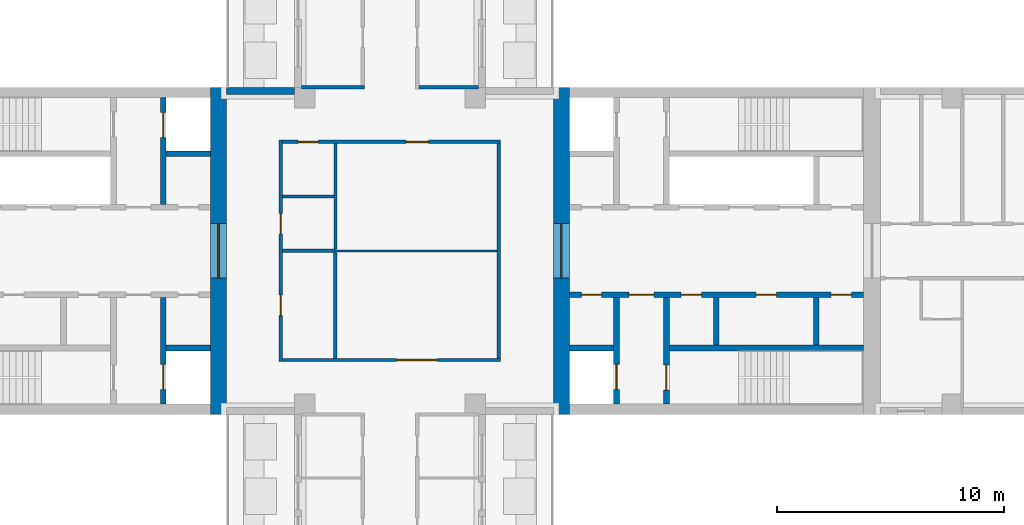
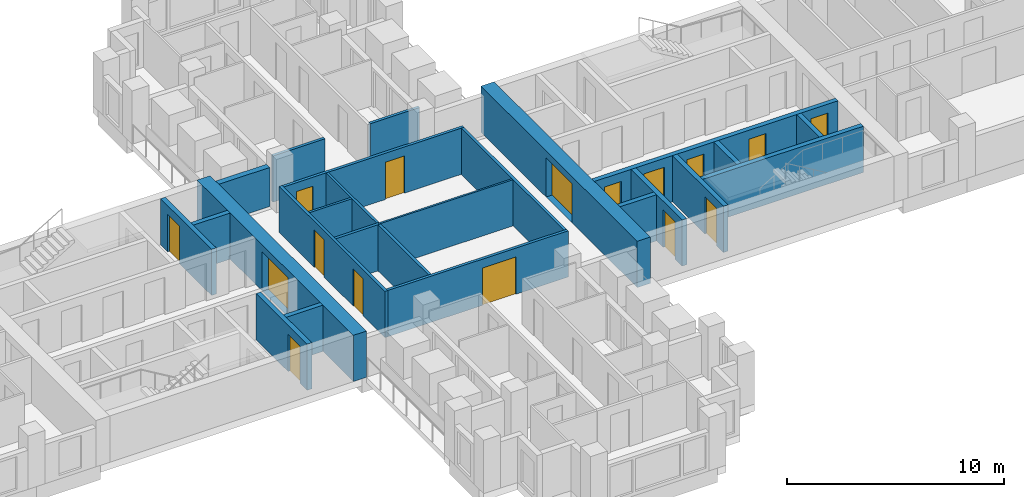
# One storey, part 6 of 12: 25 walls, 16 doors, 16 openings.
"""IFC4 building model written with IfcOpenShell, lengths in metres."""

from ifc_helpers import new_model, si_unit, direction, frame, frame_2d, origin, place, context, subcontext, project, spatial, rectangle, extrude, material, layer, layer_set, type_object, element, fill, save


model = new_model("IFC4")

# Units and contexts
model_context = context("Model", 3, precision=1e-05, world=origin(), true_north=direction((0.0, 1.0)))
body_context = subcontext(model_context, "Body", "Model", "MODEL_VIEW")
ifc_project = project(units=[si_unit("LENGTHUNIT", "METRE"), si_unit("AREAUNIT", "SQUARE_METRE"), si_unit("VOLUMEUNIT", "CUBIC_METRE"), si_unit("PLANEANGLEUNIT", "RADIAN"), si_unit("MASSUNIT", "GRAM", prefix="KILO")], contexts=[model_context])

# Site, building, storey
site_placement = place(None, origin())
site = spatial("IfcSite", under=ifc_project, at=site_placement, CompositionType="ELEMENT")
building_placement = place(site_placement, origin())
building = spatial("IfcBuilding", under=site, at=building_placement, Name="Fustian Cross Tower", CompositionType="ELEMENT")
storey_placement = place(building_placement, frame((0.0, 0.0, 147.300048828125)))
storey = spatial("IfcBuildingStorey", under=building, at=storey_placement, Name="L46", CompositionType="ELEMENT", Elevation=147.300048828125)

# Wall, openings, doors
ifc_material_1 = material(Name="Plasterboard on steel stud", Category="steel")
ifc_layer_1 = layer(ifc_material_1, 0.14990234375)
ifc_layer_set_1 = layer_set([ifc_layer_1], Name="Plasterboard on steel stud")
wall_type_1 = type_object("IfcWallType", Name="COMPARTMENT WALL 150 EI 60", PredefinedType="PARTITIONING", material=ifc_layer_set_1)
wall_1_placement = place(storey_placement, frame((-4.800048828125, -4.875, 0.0), z_axis=(0.0, 0.0, 1.0), x_axis=(0.0, 1.0, 0.0)))
wall_1 = element("IfcWall", 1, at=wall_1_placement, inside=storey, type_object=wall_type_1, Name="Partition 16", PredefinedType="PARTITIONING", context=body_context, shape_type="SweptSolid", body=[
    extrude(rectangle(XDim=9.75, YDim=0.14990234375, at=frame_2d((4.875, 0.0))), origin(), (0.0, 0.0, 1.0), 2.599853515625),
])
opening_1_placement = place(wall_1_placement, frame((5.625, 0.0, 0.0)))
opening_1 = element("IfcOpeningElement", 2, at=opening_1_placement, cuts=wall_1, Name="Opening D21002", PredefinedType="OPENING", context=body_context, shape_type="SweptSolid", body=[
    extrude(rectangle(XDim=0.89990234375, YDim=2.10009765625, at=frame_2d((0.449951171875, 1.050048828125))), frame((0.0, 0.0849609375, 0.0), z_axis=(0.0, -1.0, 0.0), x_axis=(1.0, 0.0, 0.0)), (0.0, 0.0, 1.0), 0.169921875),
])
opening_2_placement = place(wall_1_placement, frame((2.02490234375, 0.0, 0.0)))
opening_2 = element("IfcOpeningElement", 3, at=opening_2_placement, cuts=wall_1, Name="Opening D21003", PredefinedType="OPENING", context=body_context, shape_type="SweptSolid", body=[
    extrude(rectangle(XDim=0.89990234375, YDim=2.10009765625, at=frame_2d((0.449951171875, 1.050048828125))), frame((0.0, 0.0849609375, 0.0), z_axis=(0.0, -1.0, 0.0), x_axis=(1.0, 0.0, 0.0)), (0.0, 0.0, 1.0), 0.169921875),
])
ifc_material_2 = material(Name="Timber fire door set", Category="wood")
door_type_1 = type_object("IfcDoorType", Name="FIRE SWING DOOR 900 FD30S", OperationType="SINGLE_SWING_LEFT", PredefinedType="DOOR", material=ifc_material_2)
door_1_placement = place(opening_1_placement, frame((0.89990234375, 0.0, 0.0), z_axis=(0.0, 0.0, 1.0), x_axis=(-1.0, 0.0, 0.0)))
door_1 = element("IfcDoor", 4, at=door_1_placement, inside=storey, type_object=door_type_1, Name="Door D21002", OperationType="SINGLE_SWING_RIGHT", OverallHeight=2.10009765625, OverallWidth=0.89990234375, PredefinedType="DOOR", context=body_context, shape_type="SweptSolid", body=[
    extrude(rectangle(XDim=0.89990234375, YDim=2.10009765625, at=frame_2d((0.449951171875, 1.050048828125))), frame((0.0, 0.02490234375, 0.0), z_axis=(0.0, -1.0, 0.0), x_axis=(1.0, 0.0, 0.0)), (0.0, 0.0, 1.0), 0.050048828125),
])
fill(opening_1, door_1)
door_2_placement = place(opening_2_placement, frame((0.89990234375, 0.0, 0.0), z_axis=(0.0, 0.0, 1.0), x_axis=(-1.0, 0.0, 0.0)))
door_2 = element("IfcDoor", 5, at=door_2_placement, inside=storey, type_object=door_type_1, Name="Door D21003", OperationType="SINGLE_SWING_RIGHT", OverallHeight=2.10009765625, OverallWidth=0.89990234375, PredefinedType="DOOR", context=body_context, shape_type="SweptSolid", body=[
    extrude(rectangle(XDim=0.89990234375, YDim=2.10009765625, at=frame_2d((0.449951171875, 1.050048828125))), frame((0.0, 0.02490234375, 0.0), z_axis=(0.0, -1.0, 0.0), x_axis=(1.0, 0.0, 0.0)), (0.0, 0.0, 1.0), 0.050048828125),
])
fill(opening_2, door_2)

# Wall, opening, door
wall_2_placement = place(storey_placement, frame((-4.72509765625, -4.800048828125, 0.0), z_axis=(0.0, 0.0, 1.0), x_axis=(1.0, 0.0, 0.0)))
wall_2 = element("IfcWall", 6, at=wall_2_placement, inside=storey, type_object=wall_type_1, Name="Partition 17", PredefinedType="PARTITIONING", context=body_context, shape_type="SweptSolid", body=[
    extrude(rectangle(XDim=9.60009765625, YDim=0.14990234375, at=frame_2d((4.800048828125, 0.0))), origin(), (0.0, 0.0, 1.0), 2.599853515625),
])
opening_3_placement = place(wall_2_placement, frame((5.02490234375, 0.0, 0.0)))
opening_3 = element("IfcOpeningElement", 7, at=opening_3_placement, cuts=wall_2, Name="Opening D21005", PredefinedType="OPENING", context=body_context, shape_type="SweptSolid", body=[
    extrude(rectangle(XDim=1.800048828125, YDim=2.10009765625, at=frame_2d((0.89990234375, 1.050048828125))), frame((0.0, 0.0849609375, 0.0), z_axis=(0.0, -1.0, 0.0), x_axis=(1.0, 0.0, 0.0)), (0.0, 0.0, 1.0), 0.169921875),
])
ifc_material_3 = material(Name="Timber fire door set", Category="wood")
door_type_2 = type_object("IfcDoorType", Name="FIRE DOUBLE DOOR 1800 FD30S", OperationType="DOUBLE_DOOR_DOUBLE_SWING", PredefinedType="DOOR", material=ifc_material_3)
door_3_placement = place(opening_3_placement, frame((1.800048828125, 0.0, 0.0), z_axis=(0.0, 0.0, 1.0), x_axis=(-1.0, 0.0, 0.0)))
door_3 = element("IfcDoor", 8, at=door_3_placement, inside=storey, type_object=door_type_2, Name="Door D21005", OperationType="DOUBLE_DOOR_DOUBLE_SWING", OverallHeight=2.10009765625, OverallWidth=1.800048828125, PredefinedType="DOOR", context=body_context, shape_type="SweptSolid", body=[
    extrude(rectangle(XDim=1.800048828125, YDim=2.10009765625, at=frame_2d((0.89990234375, 1.050048828125))), frame((0.0, 0.02490234375, 0.0), z_axis=(0.0, -1.0, 0.0), x_axis=(1.0, 0.0, 0.0)), (0.0, 0.0, 1.0), 0.050048828125),
])
fill(opening_3, door_3)

# Wall
wall_3_placement = place(storey_placement, frame((-4.72509765625, 0.0, 0.0), z_axis=(0.0, 0.0, 1.0), x_axis=(1.0, 0.0, 0.0)))
element("IfcWall", 9, at=wall_3_placement, inside=storey, type_object=wall_type_1, Name="Partition 18", PredefinedType="PARTITIONING", context=body_context, shape_type="SweptSolid", body=[
    extrude(rectangle(XDim=2.3251953125, YDim=0.14990234375, at=frame_2d((1.16259765625, 0.0))), origin(), (0.0, 0.0, 1.0), 2.599853515625),
])

# Wall, openings, doors
wall_4_placement = place(storey_placement, frame((-4.72509765625, 4.800048828125, 0.0), z_axis=(0.0, 0.0, 1.0), x_axis=(1.0, 0.0, 0.0)))
wall_4 = element("IfcWall", 10, at=wall_4_placement, inside=storey, type_object=wall_type_1, Name="Partition 20", PredefinedType="PARTITIONING", context=body_context, shape_type="SweptSolid", body=[
    extrude(rectangle(XDim=9.60009765625, YDim=0.14990234375, at=frame_2d((4.800048828125, 0.0))), origin(), (0.0, 0.0, 1.0), 2.599853515625),
])
opening_4_placement = place(wall_4_placement, frame((0.675048828125, 0.0, 0.0)))
opening_4 = element("IfcOpeningElement", 11, at=opening_4_placement, cuts=wall_4, Name="Opening D21001", PredefinedType="OPENING", context=body_context, shape_type="SweptSolid", body=[
    extrude(rectangle(XDim=0.89990234375, YDim=2.10009765625, at=frame_2d((0.449951171875, 1.050048828125))), frame((0.0, 0.0849609375, 0.0), z_axis=(0.0, -1.0, 0.0), x_axis=(1.0, 0.0, 0.0)), (0.0, 0.0, 1.0), 0.169921875),
])
opening_5_placement = place(wall_4_placement, frame((5.425048828125, 0.0, 0.0)))
opening_5 = element("IfcOpeningElement", 12, at=opening_5_placement, cuts=wall_4, Name="Opening D21004", PredefinedType="OPENING", context=body_context, shape_type="SweptSolid", body=[
    extrude(rectangle(XDim=1.0, YDim=2.10009765625, at=frame_2d((0.5, 1.050048828125))), frame((0.0, 0.0849609375, 0.0), z_axis=(0.0, -1.0, 0.0), x_axis=(1.0, 0.0, 0.0)), (0.0, 0.0, 1.0), 0.169921875),
])
ifc_material_4 = material(Name="Timber fire door set", Category="wood")
door_type_3 = type_object("IfcDoorType", Name="FIRE SWING DOOR 1000 FD30S", OperationType="SINGLE_SWING_LEFT", PredefinedType="DOOR", material=ifc_material_4)
door_4_placement = place(opening_5_placement, frame((1.0, 0.0, 0.0), z_axis=(0.0, 0.0, 1.0), x_axis=(-1.0, 0.0, 0.0)))
door_4 = element("IfcDoor", 13, at=door_4_placement, inside=storey, type_object=door_type_3, Name="Door D21004", OperationType="SINGLE_SWING_RIGHT", OverallHeight=2.10009765625, OverallWidth=1.0, PredefinedType="DOOR", context=body_context, shape_type="SweptSolid", body=[
    extrude(rectangle(XDim=1.0, YDim=2.10009765625, at=frame_2d((0.5, 1.050048828125))), frame((0.0, 0.02490234375, 0.0), z_axis=(0.0, -1.0, 0.0), x_axis=(1.0, 0.0, 0.0)), (0.0, 0.0, 1.0), 0.050048828125),
])
fill(opening_5, door_4)
door_5_placement = place(opening_4_placement, frame((0.89990234375, 0.0, 0.0), z_axis=(0.0, 0.0, 1.0), x_axis=(-1.0, 0.0, 0.0)))
door_5 = element("IfcDoor", 14, at=door_5_placement, inside=storey, type_object=door_type_1, Name="Door D21001", OperationType="SINGLE_SWING_RIGHT", OverallHeight=2.10009765625, OverallWidth=0.89990234375, PredefinedType="DOOR", context=body_context, shape_type="SweptSolid", body=[
    extrude(rectangle(XDim=0.89990234375, YDim=2.10009765625, at=frame_2d((0.449951171875, 1.050048828125))), frame((0.0, 0.02490234375, 0.0), z_axis=(0.0, -1.0, 0.0), x_axis=(1.0, 0.0, 0.0)), (0.0, 0.0, 1.0), 0.050048828125),
])
fill(opening_4, door_5)

# Walls
wall_5_placement = place(storey_placement, frame((-3.89990234375, 7.199951171875, 0.0), z_axis=(0.0, 0.0, 1.0), x_axis=(1.0, 0.0, 0.0)))
element("IfcWall", 15, at=wall_5_placement, inside=storey, type_object=wall_type_1, Name="Partition 24", PredefinedType="PARTITIONING", context=body_context, shape_type="SweptSolid", body=[
    extrude(rectangle(XDim=2.77490234375, YDim=0.14990234375, at=frame_2d((1.387451171875, 0.0))), origin(), (0.0, 0.0, 1.0), 2.599853515625),
])
wall_6_placement = place(storey_placement, frame((-2.39990234375, -4.72509765625, 0.0), z_axis=(0.0, 0.0, 1.0), x_axis=(0.0, 1.0, 0.0)))
element("IfcWall", 16, at=wall_6_placement, inside=storey, type_object=wall_type_1, Name="Partition 33", PredefinedType="PARTITIONING", context=body_context, shape_type="SweptSolid", body=[
    extrude(rectangle(XDim=4.650146484375, YDim=0.14990234375, at=frame_2d((2.3251953125, 0.0))), origin(), (0.0, 0.0, 1.0), 2.599853515625),
])
wall_7_placement = place(storey_placement, frame((1.27490234375, 7.199951171875, 0.0), z_axis=(0.0, 0.0, 1.0), x_axis=(1.0, 0.0, 0.0)))
element("IfcWall", 17, at=wall_7_placement, inside=storey, type_object=wall_type_1, Name="Partition 47", PredefinedType="PARTITIONING", context=body_context, shape_type="SweptSolid", body=[
    extrude(rectangle(XDim=2.625, YDim=0.14990234375, at=frame_2d((1.3125, 0.0))), origin(), (0.0, 0.0, 1.0), 2.599853515625),
])
wall_8_placement = place(storey_placement, frame((4.800048828125, -4.72509765625, 0.0), z_axis=(0.0, 0.0, 1.0), x_axis=(0.0, 1.0, 0.0)))
element("IfcWall", 18, at=wall_8_placement, inside=storey, type_object=wall_type_1, Name="Partition 54", PredefinedType="PARTITIONING", context=body_context, shape_type="SweptSolid", body=[
    extrude(rectangle(XDim=9.4501953125, YDim=0.14990234375, at=frame_2d((4.72509765625, 0.0))), origin(), (0.0, 0.0, 1.0), 2.599853515625),
])

# Wall, opening, door
ifc_material_5 = material(Name="Concrete C60/75", Category="concrete")
ifc_layer_2 = layer(ifc_material_5, 0.699951171875)
ifc_layer_set_2 = layer_set([ifc_layer_2], Name="Concrete C60/75")
wall_type_2 = type_object("IfcWallType", Name="CORE END WALL 700 C60/75", PredefinedType="SHEAR", material=ifc_layer_set_2)
wall_9_placement = place(storey_placement, frame((7.550048828125, -7.199951171875, 0.0), z_axis=(0.0, 0.0, 1.0), x_axis=(0.0, 1.0, 0.0)))
wall_9 = element("IfcWall", 19, at=wall_9_placement, inside=storey, type_object=wall_type_2, Name="Core end wall", PredefinedType="SHEAR", context=body_context, shape_type="SweptSolid", body=[
    extrude(rectangle(XDim=14.39990234375, YDim=0.699951171875, at=frame_2d((7.199951171875, 0.0))), origin(), (0.0, 0.0, 1.0), 2.599853515625),
])
opening_6_placement = place(wall_9_placement, frame((6.0, 0.0, 0.0)))
opening_6 = element("IfcOpeningElement", 20, at=opening_6_placement, cuts=wall_9, Name="Opening CD-16-12", PredefinedType="OPENING", context=body_context, shape_type="SweptSolid", body=[
    extrude(rectangle(XDim=2.39990234375, YDim=2.199951171875, at=frame_2d((1.199951171875, 1.10009765625))), frame((0.0, 0.35986328125, 0.0), z_axis=(0.0, -1.0, 0.0), x_axis=(1.0, 0.0, 0.0)), (0.0, 0.0, 1.0), 0.719970703125),
])
ifc_material_6 = material(Name="Steel", Category="steel")
door_type_4 = type_object("IfcDoorType", Name="FIRE DOOR FD30S DOUBLE 2400X2200", OperationType="DOUBLE_DOOR_DOUBLE_SWING", PredefinedType="DOOR", material=ifc_material_6)
door_6_placement = place(opening_6_placement, origin())
door_6 = element("IfcDoor", 21, at=door_6_placement, inside=storey, type_object=door_type_4, Name="Core door CD-16-12", OperationType="DOUBLE_DOOR_DOUBLE_SWING", OverallHeight=2.199951171875, OverallWidth=2.39990234375, PredefinedType="DOOR", context=body_context, shape_type="SweptSolid", body=[
    extrude(rectangle(XDim=2.39990234375, YDim=2.199951171875, at=frame_2d((1.199951171875, 1.10009765625))), frame((0.0, 0.02490234375, 0.0), z_axis=(0.0, -1.0, 0.0), x_axis=(1.0, 0.0, 0.0)), (0.0, 0.0, 1.0), 0.050048828125),
])
fill(opening_6, door_6)

wall_10_placement = place(storey_placement, frame((-7.550048828125, -7.199951171875, 0.0), z_axis=(0.0, 0.0, 1.0), x_axis=(0.0, 1.0, 0.0)))
wall_10 = element("IfcWall", 22, at=wall_10_placement, inside=storey, type_object=wall_type_2, Name="Core end wall", PredefinedType="SHEAR", context=body_context, shape_type="SweptSolid", body=[
    extrude(rectangle(XDim=14.39990234375, YDim=0.699951171875, at=frame_2d((7.199951171875, 0.0))), origin(), (0.0, 0.0, 1.0), 2.599853515625),
])
opening_7_placement = place(wall_10_placement, frame((6.0, 0.0, 0.0)))
opening_7 = element("IfcOpeningElement", 23, at=opening_7_placement, cuts=wall_10, Name="Opening CD-16-29", PredefinedType="OPENING", context=body_context, shape_type="SweptSolid", body=[
    extrude(rectangle(XDim=2.39990234375, YDim=2.199951171875, at=frame_2d((1.199951171875, 1.10009765625))), frame((0.0, 0.35986328125, 0.0), z_axis=(0.0, -1.0, 0.0), x_axis=(1.0, 0.0, 0.0)), (0.0, 0.0, 1.0), 0.719970703125),
])
door_7_placement = place(opening_7_placement, origin())
door_7 = element("IfcDoor", 24, at=door_7_placement, inside=storey, type_object=door_type_4, Name="Core door CD-16-29", OperationType="DOUBLE_DOOR_DOUBLE_SWING", OverallHeight=2.199951171875, OverallWidth=2.39990234375, PredefinedType="DOOR", context=body_context, shape_type="SweptSolid", body=[
    extrude(rectangle(XDim=2.39990234375, YDim=2.199951171875, at=frame_2d((1.199951171875, 1.10009765625))), frame((0.0, 0.02490234375, 0.0), z_axis=(0.0, -1.0, 0.0), x_axis=(1.0, 0.0, 0.0)), (0.0, 0.0, 1.0), 0.050048828125),
])
fill(opening_7, door_7)

# Wall, openings, doors
ifc_material_7 = material(Name="Concrete C50/60", Category="concrete")
ifc_layer_3 = layer(ifc_material_7, 0.25)
ifc_layer_set_3 = layer_set([ifc_layer_3], Name="Concrete C50/60")
wall_type_3 = type_object("IfcWallType", Name="CORE LOBBY WALL 250 C50/60", PredefinedType="SHEAR", material=ifc_layer_set_3)
wall_11_placement = place(storey_placement, frame((7.89990234375, -1.925048828125, 0.0), z_axis=(0.0, 0.0, 1.0), x_axis=(1.0, 0.0, 0.0)))
wall_11 = element("IfcWall", 25, at=wall_11_placement, inside=storey, type_object=wall_type_3, Name="Core lobby wall", PredefinedType="SHEAR", context=body_context, shape_type="SweptSolid", body=[
    extrude(rectangle(XDim=12.9501953125, YDim=0.25, at=frame_2d((6.47509765625, 0.0))), origin(), (0.0, 0.0, 1.0), 2.599853515625),
])
opening_8_placement = place(wall_11_placement, frame((0.52490234375, 0.0, 0.0)))
opening_8 = element("IfcOpeningElement", 26, at=opening_8_placement, cuts=wall_11, Name="Opening CD-16-09", PredefinedType="OPENING", context=body_context, shape_type="SweptSolid", body=[
    extrude(rectangle(XDim=0.89990234375, YDim=2.10009765625, at=frame_2d((0.449951171875, 1.050048828125))), frame((0.0, 0.135009765625, 0.0), z_axis=(0.0, -1.0, 0.0), x_axis=(1.0, 0.0, 0.0)), (0.0, 0.0, 1.0), 0.27001953125),
])
opening_9_placement = place(wall_11_placement, frame((2.625, 0.0, 0.0)))
opening_9 = element("IfcOpeningElement", 27, at=opening_9_placement, cuts=wall_11, Name="Opening CD-16-11", PredefinedType="OPENING", context=body_context, shape_type="SweptSolid", body=[
    extrude(rectangle(XDim=1.10009765625, YDim=2.10009765625, at=frame_2d((0.550048828125, 1.050048828125))), frame((0.0, 0.135009765625, 0.0), z_axis=(0.0, -1.0, 0.0), x_axis=(1.0, 0.0, 0.0)), (0.0, 0.0, 1.0), 0.27001953125),
])
opening_10_placement = place(wall_11_placement, frame((4.925048828125, 0.0, 0.0)))
opening_10 = element("IfcOpeningElement", 28, at=opening_10_placement, cuts=wall_11, Name="Opening CD-16-15", PredefinedType="OPENING", context=body_context, shape_type="SweptSolid", body=[
    extrude(rectangle(XDim=0.89990234375, YDim=2.10009765625, at=frame_2d((0.449951171875, 1.050048828125))), frame((0.0, 0.135009765625, 0.0), z_axis=(0.0, -1.0, 0.0), x_axis=(1.0, 0.0, 0.0)), (0.0, 0.0, 1.0), 0.27001953125),
])
opening_11_placement = place(wall_11_placement, frame((8.22509765625, 0.0, 0.0)))
opening_11 = element("IfcOpeningElement", 29, at=opening_11_placement, cuts=wall_11, Name="Opening CD-16-16", PredefinedType="OPENING", context=body_context, shape_type="SweptSolid", body=[
    extrude(rectangle(XDim=0.89990234375, YDim=2.10009765625, at=frame_2d((0.449951171875, 1.050048828125))), frame((0.0, 0.135009765625, 0.0), z_axis=(0.0, -1.0, 0.0), x_axis=(1.0, 0.0, 0.0)), (0.0, 0.0, 1.0), 0.27001953125),
])
opening_12_placement = place(wall_11_placement, frame((11.52490234375, 0.0, 0.0)))
opening_12 = element("IfcOpeningElement", 30, at=opening_12_placement, cuts=wall_11, Name="Opening CD-16-17", PredefinedType="OPENING", context=body_context, shape_type="SweptSolid", body=[
    extrude(rectangle(XDim=0.89990234375, YDim=2.10009765625, at=frame_2d((0.449951171875, 1.050048828125))), frame((0.0, 0.135009765625, 0.0), z_axis=(0.0, -1.0, 0.0), x_axis=(1.0, 0.0, 0.0)), (0.0, 0.0, 1.0), 0.27001953125),
])
ifc_material_8 = material(Name="Steel", Category="steel")
door_type_5 = type_object("IfcDoorType", Name="FIRE DOOR FD30S 1100X2100", OperationType="SINGLE_SWING_LEFT", PredefinedType="DOOR", material=ifc_material_8)
door_8_placement = place(opening_9_placement, frame((1.10009765625, 0.0, 0.0), z_axis=(0.0, 0.0, 1.0), x_axis=(-1.0, 0.0, 0.0)))
door_8 = element("IfcDoor", 31, at=door_8_placement, inside=storey, type_object=door_type_5, Name="Core door CD-16-11", OperationType="SINGLE_SWING_RIGHT", OverallHeight=2.10009765625, OverallWidth=1.10009765625, PredefinedType="DOOR", context=body_context, shape_type="SweptSolid", body=[
    extrude(rectangle(XDim=1.10009765625, YDim=2.10009765625, at=frame_2d((0.550048828125, 1.050048828125))), frame((0.0, 0.02490234375, 0.0), z_axis=(0.0, -1.0, 0.0), x_axis=(1.0, 0.0, 0.0)), (0.0, 0.0, 1.0), 0.050048828125),
])
fill(opening_9, door_8)
ifc_material_9 = material(Name="Steel", Category="steel")
door_type_6 = type_object("IfcDoorType", Name="FIRE DOOR FD30S 900X2100", OperationType="SINGLE_SWING_LEFT", PredefinedType="DOOR", material=ifc_material_9)
door_9_placement = place(opening_8_placement, frame((0.89990234375, 0.0, 0.0), z_axis=(0.0, 0.0, 1.0), x_axis=(-1.0, 0.0, 0.0)))
door_9 = element("IfcDoor", 32, at=door_9_placement, inside=storey, type_object=door_type_6, Name="Core door CD-16-09", OperationType="SINGLE_SWING_RIGHT", OverallHeight=2.10009765625, OverallWidth=0.89990234375, PredefinedType="DOOR", context=body_context, shape_type="SweptSolid", body=[
    extrude(rectangle(XDim=0.89990234375, YDim=2.10009765625, at=frame_2d((0.449951171875, 1.050048828125))), frame((0.0, 0.02490234375, 0.0), z_axis=(0.0, -1.0, 0.0), x_axis=(1.0, 0.0, 0.0)), (0.0, 0.0, 1.0), 0.050048828125),
])
fill(opening_8, door_9)
door_10_placement = place(opening_10_placement, frame((0.89990234375, 0.0, 0.0), z_axis=(0.0, 0.0, 1.0), x_axis=(-1.0, 0.0, 0.0)))
door_10 = element("IfcDoor", 33, at=door_10_placement, inside=storey, type_object=door_type_6, Name="Core door CD-16-15", OperationType="SINGLE_SWING_RIGHT", OverallHeight=2.10009765625, OverallWidth=0.89990234375, PredefinedType="DOOR", context=body_context, shape_type="SweptSolid", body=[
    extrude(rectangle(XDim=0.89990234375, YDim=2.10009765625, at=frame_2d((0.449951171875, 1.050048828125))), frame((0.0, 0.02490234375, 0.0), z_axis=(0.0, -1.0, 0.0), x_axis=(1.0, 0.0, 0.0)), (0.0, 0.0, 1.0), 0.050048828125),
])
fill(opening_10, door_10)
door_11_placement = place(opening_11_placement, frame((0.89990234375, 0.0, 0.0), z_axis=(0.0, 0.0, 1.0), x_axis=(-1.0, 0.0, 0.0)))
door_11 = element("IfcDoor", 34, at=door_11_placement, inside=storey, type_object=door_type_6, Name="Core door CD-16-16", OperationType="SINGLE_SWING_LEFT", OverallHeight=2.10009765625, OverallWidth=0.89990234375, PredefinedType="DOOR", context=body_context, shape_type="SweptSolid", body=[
    extrude(rectangle(XDim=0.89990234375, YDim=2.10009765625, at=frame_2d((0.449951171875, 1.050048828125))), frame((0.0, 0.02490234375, 0.0), z_axis=(0.0, -1.0, 0.0), x_axis=(1.0, 0.0, 0.0)), (0.0, 0.0, 1.0), 0.050048828125),
])
fill(opening_11, door_11)
door_12_placement = place(opening_12_placement, frame((0.89990234375, 0.0, 0.0), z_axis=(0.0, 0.0, 1.0), x_axis=(-1.0, 0.0, 0.0)))
door_12 = element("IfcDoor", 35, at=door_12_placement, inside=storey, type_object=door_type_6, Name="Core door CD-16-17", OperationType="SINGLE_SWING_RIGHT", OverallHeight=2.10009765625, OverallWidth=0.89990234375, PredefinedType="DOOR", context=body_context, shape_type="SweptSolid", body=[
    extrude(rectangle(XDim=0.89990234375, YDim=2.10009765625, at=frame_2d((0.449951171875, 1.050048828125))), frame((0.0, 0.02490234375, 0.0), z_axis=(0.0, -1.0, 0.0), x_axis=(1.0, 0.0, 0.0)), (0.0, 0.0, 1.0), 0.050048828125),
])
fill(opening_12, door_12)

# Walls
ifc_material_10 = material(Name="Concrete C50/60", Category="concrete")
ifc_layer_4 = layer(ifc_material_10, 0.25)
ifc_layer_set_4 = layer_set([ifc_layer_4], Name="Concrete C50/60")
wall_type_4 = type_object("IfcWallType", Name="CORE SHAFT WALL 250 C50/60", PredefinedType="SHEAR", material=ifc_layer_set_4)
wall_12_placement = place(storey_placement, frame((7.89990234375, -4.27490234375, 0.0), z_axis=(0.0, 0.0, 1.0), x_axis=(1.0, 0.0, 0.0)))
element("IfcWall", 36, at=wall_12_placement, inside=storey, type_object=wall_type_4, Name="Core shaft wall", PredefinedType="SHEAR", context=body_context, shape_type="SweptSolid", body=[
    extrude(rectangle(XDim=1.9501953125, YDim=0.25, at=frame_2d((0.97509765625, 0.0))), origin(), (0.0, 0.0, 1.0), 2.599853515625),
])
wall_13_placement = place(storey_placement, frame((12.300048828125, -4.27490234375, 0.0), z_axis=(0.0, 0.0, 1.0), x_axis=(1.0, 0.0, 0.0)))
element("IfcWall", 37, at=wall_13_placement, inside=storey, type_object=wall_type_4, Name="Core shaft wall", PredefinedType="SHEAR", context=body_context, shape_type="SweptSolid", body=[
    extrude(rectangle(XDim=8.550048828125, YDim=0.25, at=frame_2d((4.27490234375, 0.0))), origin(), (0.0, 0.0, 1.0), 2.599853515625),
])

# Wall, opening, door
wall_14_placement = place(storey_placement, frame((9.97509765625, -2.050048828125, 0.0), z_axis=(0.0, 0.0, 1.0), x_axis=(0.0, -1.0, 0.0)))
wall_14 = element("IfcWall", 38, at=wall_14_placement, inside=storey, type_object=wall_type_4, Name="Core shaft wall", PredefinedType="SHEAR", context=body_context, shape_type="SweptSolid", body=[
    extrude(rectangle(XDim=4.699951171875, YDim=0.25, at=frame_2d((2.35009765625, 0.0))), origin(), (0.0, 0.0, 1.0), 2.599853515625),
])
opening_13_placement = place(wall_14_placement, frame((2.949951171875, 0.0, 0.0)))
opening_13 = element("IfcOpeningElement", 39, at=opening_13_placement, cuts=wall_14, Name="Opening LD", PredefinedType="OPENING", context=body_context, shape_type="SweptSolid", body=[
    extrude(rectangle(XDim=1.10009765625, YDim=2.10009765625, at=frame_2d((0.550048828125, 1.050048828125))), frame((0.0, 0.135009765625, 0.0), z_axis=(0.0, -1.0, 0.0), x_axis=(1.0, 0.0, 0.0)), (0.0, 0.0, 1.0), 0.27001953125),
])
ifc_material_11 = material(Name="Stainless steel", Category="steel")
door_type_7 = type_object("IfcDoorType", Name="LIFT LANDING DOOR 1100X2100", OperationType="SLIDING_TO_LEFT", PredefinedType="DOOR", material=ifc_material_11)
door_13_placement = place(opening_13_placement, origin())
door_13 = element("IfcDoor", 40, at=door_13_placement, inside=storey, type_object=door_type_7, Name="Landing door SV1", OperationType="SLIDING_TO_LEFT", OverallHeight=2.10009765625, OverallWidth=1.10009765625, PredefinedType="DOOR", context=body_context, shape_type="SweptSolid", body=[
    extrude(rectangle(XDim=1.10009765625, YDim=2.10009765625, at=frame_2d((0.550048828125, 1.050048828125))), frame((0.0, 0.02490234375, 0.0), z_axis=(0.0, -1.0, 0.0), x_axis=(1.0, 0.0, 0.0)), (0.0, 0.0, 1.0), 0.050048828125),
])
fill(opening_13, door_13)

wall_15_placement = place(storey_placement, frame((12.175048828125, -2.050048828125, 0.0), z_axis=(0.0, 0.0, 1.0), x_axis=(0.0, -1.0, 0.0)))
wall_15 = element("IfcWall", 41, at=wall_15_placement, inside=storey, type_object=wall_type_4, Name="Core shaft wall", PredefinedType="SHEAR", context=body_context, shape_type="SweptSolid", body=[
    extrude(rectangle(XDim=4.699951171875, YDim=0.25, at=frame_2d((2.35009765625, 0.0))), origin(), (0.0, 0.0, 1.0), 2.599853515625),
])
opening_14_placement = place(wall_15_placement, frame((2.97509765625, 0.0, 0.0)))
opening_14 = element("IfcOpeningElement", 42, at=opening_14_placement, cuts=wall_15, Name="Opening CD-16-07", PredefinedType="OPENING", context=body_context, shape_type="SweptSolid", body=[
    extrude(rectangle(XDim=1.10009765625, YDim=2.10009765625, at=frame_2d((0.550048828125, 1.050048828125))), frame((0.0, 0.135009765625, 0.0), z_axis=(0.0, -1.0, 0.0), x_axis=(1.0, 0.0, 0.0)), (0.0, 0.0, 1.0), 0.27001953125),
])
ifc_material_12 = material(Name="Steel", Category="steel")
door_type_8 = type_object("IfcDoorType", Name="FIRE DOOR FD60S 1100X2100", OperationType="SINGLE_SWING_LEFT", PredefinedType="DOOR", material=ifc_material_12)
door_14_placement = place(opening_14_placement, origin())
door_14 = element("IfcDoor", 43, at=door_14_placement, inside=storey, type_object=door_type_8, Name="Core door CD-16-07", OperationType="SINGLE_SWING_LEFT", OverallHeight=2.10009765625, OverallWidth=1.10009765625, PredefinedType="DOOR", context=body_context, shape_type="SweptSolid", body=[
    extrude(rectangle(XDim=1.10009765625, YDim=2.10009765625, at=frame_2d((0.550048828125, 1.050048828125))), frame((0.0, 0.02490234375, 0.0), z_axis=(0.0, -1.0, 0.0), x_axis=(1.0, 0.0, 0.0)), (0.0, 0.0, 1.0), 0.050048828125),
])
fill(opening_14, door_14)

# Wall
wall_16_placement = place(storey_placement, frame((-7.89990234375, 4.27490234375, 0.0), z_axis=(0.0, 0.0, 1.0), x_axis=(-1.0, 0.0, 0.0)))
element("IfcWall", 44, at=wall_16_placement, inside=storey, type_object=wall_type_4, Name="Core shaft wall", PredefinedType="SHEAR", context=body_context, shape_type="SweptSolid", body=[
    extrude(rectangle(XDim=1.9501953125, YDim=0.25, at=frame_2d((0.97509765625, 0.0))), origin(), (0.0, 0.0, 1.0), 2.599853515625),
])

# Wall, opening, door
wall_17_placement = place(storey_placement, frame((-9.97509765625, 2.050048828125, 0.0), z_axis=(0.0, 0.0, 1.0), x_axis=(0.0, 1.0, 0.0)))
wall_17 = element("IfcWall", 45, at=wall_17_placement, inside=storey, type_object=wall_type_4, Name="Core shaft wall", PredefinedType="SHEAR", context=body_context, shape_type="SweptSolid", body=[
    extrude(rectangle(XDim=4.699951171875, YDim=0.25, at=frame_2d((2.35009765625, 0.0))), origin(), (0.0, 0.0, 1.0), 2.599853515625),
])
opening_15_placement = place(wall_17_placement, frame((2.949951171875, 0.0, 0.0)))
opening_15 = element("IfcOpeningElement", 46, at=opening_15_placement, cuts=wall_17, Name="Opening LD", PredefinedType="OPENING", context=body_context, shape_type="SweptSolid", body=[
    extrude(rectangle(XDim=1.10009765625, YDim=2.10009765625, at=frame_2d((0.550048828125, 1.050048828125))), frame((0.0, 0.135009765625, 0.0), z_axis=(0.0, -1.0, 0.0), x_axis=(1.0, 0.0, 0.0)), (0.0, 0.0, 1.0), 0.27001953125),
])
door_15_placement = place(opening_15_placement, origin())
door_15 = element("IfcDoor", 47, at=door_15_placement, inside=storey, type_object=door_type_7, Name="Landing door FL1W", OperationType="SLIDING_TO_LEFT", OverallHeight=2.10009765625, OverallWidth=1.10009765625, PredefinedType="DOOR", context=body_context, shape_type="SweptSolid", body=[
    extrude(rectangle(XDim=1.10009765625, YDim=2.10009765625, at=frame_2d((0.550048828125, 1.050048828125))), frame((0.0, 0.02490234375, 0.0), z_axis=(0.0, -1.0, 0.0), x_axis=(1.0, 0.0, 0.0)), (0.0, 0.0, 1.0), 0.050048828125),
])
fill(opening_15, door_15)

# Wall
wall_18_placement = place(storey_placement, frame((-7.89990234375, -4.27490234375, 0.0), z_axis=(0.0, 0.0, 1.0), x_axis=(-1.0, 0.0, 0.0)))
element("IfcWall", 48, at=wall_18_placement, inside=storey, type_object=wall_type_4, Name="Core shaft wall", PredefinedType="SHEAR", context=body_context, shape_type="SweptSolid", body=[
    extrude(rectangle(XDim=1.9501953125, YDim=0.25, at=frame_2d((0.97509765625, 0.0))), origin(), (0.0, 0.0, 1.0), 2.599853515625),
])

# Wall, opening, door
wall_19_placement = place(storey_placement, frame((-9.97509765625, -2.050048828125, 0.0), z_axis=(0.0, 0.0, 1.0), x_axis=(0.0, -1.0, 0.0)))
wall_19 = element("IfcWall", 49, at=wall_19_placement, inside=storey, type_object=wall_type_4, Name="Core shaft wall", PredefinedType="SHEAR", context=body_context, shape_type="SweptSolid", body=[
    extrude(rectangle(XDim=4.699951171875, YDim=0.25, at=frame_2d((2.35009765625, 0.0))), origin(), (0.0, 0.0, 1.0), 2.599853515625),
])
opening_16_placement = place(wall_19_placement, frame((2.949951171875, 0.0, 0.0)))
opening_16 = element("IfcOpeningElement", 50, at=opening_16_placement, cuts=wall_19, Name="Opening LD", PredefinedType="OPENING", context=body_context, shape_type="SweptSolid", body=[
    extrude(rectangle(XDim=1.10009765625, YDim=2.10009765625, at=frame_2d((0.550048828125, 1.050048828125))), frame((0.0, 0.135009765625, 0.0), z_axis=(0.0, -1.0, 0.0), x_axis=(1.0, 0.0, 0.0)), (0.0, 0.0, 1.0), 0.27001953125),
])
door_16_placement = place(opening_16_placement, origin())
door_16 = element("IfcDoor", 51, at=door_16_placement, inside=storey, type_object=door_type_7, Name="Landing door SV1W", OperationType="SLIDING_TO_LEFT", OverallHeight=2.10009765625, OverallWidth=1.10009765625, PredefinedType="DOOR", context=body_context, shape_type="SweptSolid", body=[
    extrude(rectangle(XDim=1.10009765625, YDim=2.10009765625, at=frame_2d((0.550048828125, 1.050048828125))), frame((0.0, 0.02490234375, 0.0), z_axis=(0.0, -1.0, 0.0), x_axis=(1.0, 0.0, 0.0)), (0.0, 0.0, 1.0), 0.050048828125),
])
fill(opening_16, door_16)

# Walls
ifc_material_13 = material(Name="Plasterboard on steel stud", Category="steel")
ifc_layer_5 = layer(ifc_material_13, 0.10009765625)
ifc_layer_set_5 = layer_set([ifc_layer_5], Name="Plasterboard on steel stud")
wall_type_5 = type_object("IfcWallType", Name="PARTITION 100 STUD", PredefinedType="PARTITIONING", material=ifc_layer_set_5)
wall_20_placement = place(storey_placement, frame((-2.39990234375, 0.0, 0.0), z_axis=(0.0, 0.0, 1.0), x_axis=(1.0, 0.0, 0.0)))
element("IfcWall", 52, at=wall_20_placement, inside=storey, type_object=wall_type_5, Name="Partition 35", PredefinedType="PARTITIONING", context=body_context, shape_type="SweptSolid", body=[
    extrude(rectangle(XDim=7.125, YDim=0.10009765625, at=frame_2d((3.5625, 0.0))), origin(), (0.0, 0.0, 1.0), 2.599853515625),
])
ifc_material_14 = material(Name="Concrete C40/50", Category="concrete")
ifc_layer_6 = layer(ifc_material_14, 0.25)
ifc_layer_set_6 = layer_set([ifc_layer_6], Name="Concrete C40/50")
wall_type_6 = type_object("IfcWallType", Name="SHAFT PARTITION WALL 250 C40/50", PredefinedType="PARTITIONING", material=ifc_layer_set_6)
for number, where, z_axis, x_axis, name in (
    (53, (14.375, -2.050048828125, 0.0), (0.0, 0.0, 1.0), (0.0, -1.0, 0.0), "Core shaft wall"),
    (54, (18.77490234375, -2.050048828125, 0.0), (0.0, 0.0, 1.0), (0.0, -1.0, 0.0), "Core shaft wall"),
):
    element("IfcWall", number, at=place(storey_placement, frame(where, z_axis=z_axis, x_axis=x_axis)), inside=storey, type_object=wall_type_6, Name=name, PredefinedType="PARTITIONING", context=body_context, shape_type="SweptSolid", body=[
        extrude(rectangle(XDim=2.099853515625, YDim=0.25, at=frame_2d((1.0498046875, 0.0))), origin(), (0.0, 0.0, 1.0), 2.599853515625),
    ])
ifc_material_15 = material(Name="Plasterboard on steel stud", Category="steel")
ifc_layer_7 = layer(ifc_material_15, 0.125)
ifc_layer_set_7 = layer_set([ifc_layer_7], Name="Plasterboard on steel stud")
wall_type_7 = type_object("IfcWallType", Name="WET WALL 125 STUD", PredefinedType="PARTITIONING", material=ifc_layer_set_7)
wall_21_placement = place(storey_placement, frame((-4.72509765625, 2.39990234375, 0.0), z_axis=(0.0, 0.0, 1.0), x_axis=(1.0, 0.0, 0.0)))
element("IfcWall", 55, at=wall_21_placement, inside=storey, type_object=wall_type_7, Name="Partition 19", PredefinedType="PARTITIONING", context=body_context, shape_type="SweptSolid", body=[
    extrude(rectangle(XDim=2.2626953125, YDim=0.125, at=frame_2d((1.13134765625, 0.0))), origin(), (0.0, 0.0, 1.0), 2.599853515625),
])
wall_22_placement = place(storey_placement, frame((-2.39990234375, 0.074951171875, 0.0), z_axis=(0.0, 0.0, 1.0), x_axis=(0.0, 1.0, 0.0)))
element("IfcWall", 56, at=wall_22_placement, inside=storey, type_object=wall_type_7, Name="Partition 34", PredefinedType="PARTITIONING", context=body_context, shape_type="SweptSolid", body=[
    extrude(rectangle(XDim=4.650146484375, YDim=0.125, at=frame_2d((2.3251953125, 0.0))), origin(), (0.0, 0.0, 1.0), 2.599853515625),
])
ifc_material_16 = material(Name="Dark aluminium cladding on insulated backing wall", Category="aluminium")
ifc_layer_8 = layer(ifc_material_16, 0.300048828125)
ifc_layer_set_8 = layer_set([ifc_layer_8], Name="Dark aluminium cladding on insulated backing wall")
wall_type_8 = type_object("IfcWallType", Name="XW1 EXTERNAL WALL 300", PredefinedType="SOLIDWALL", material=ifc_layer_set_8)
wall_23_placement = place(storey_placement, frame((-4.199951171875, 7.050048828125, 0.0), z_axis=(0.0, 0.0, 1.0), x_axis=(-1.0, 0.0, 0.0)))
element("IfcWall", 57, at=wall_23_placement, inside=storey, type_object=wall_type_8, Name="External wall", PredefinedType="SOLIDWALL", context=body_context, shape_type="SweptSolid", body=[
    extrude(rectangle(XDim=3.0, YDim=0.300048828125, at=frame_2d((1.5, 0.0))), origin(), (0.0, 0.0, 1.0), 2.199951171875),
])

save(model, "model.ifc")
